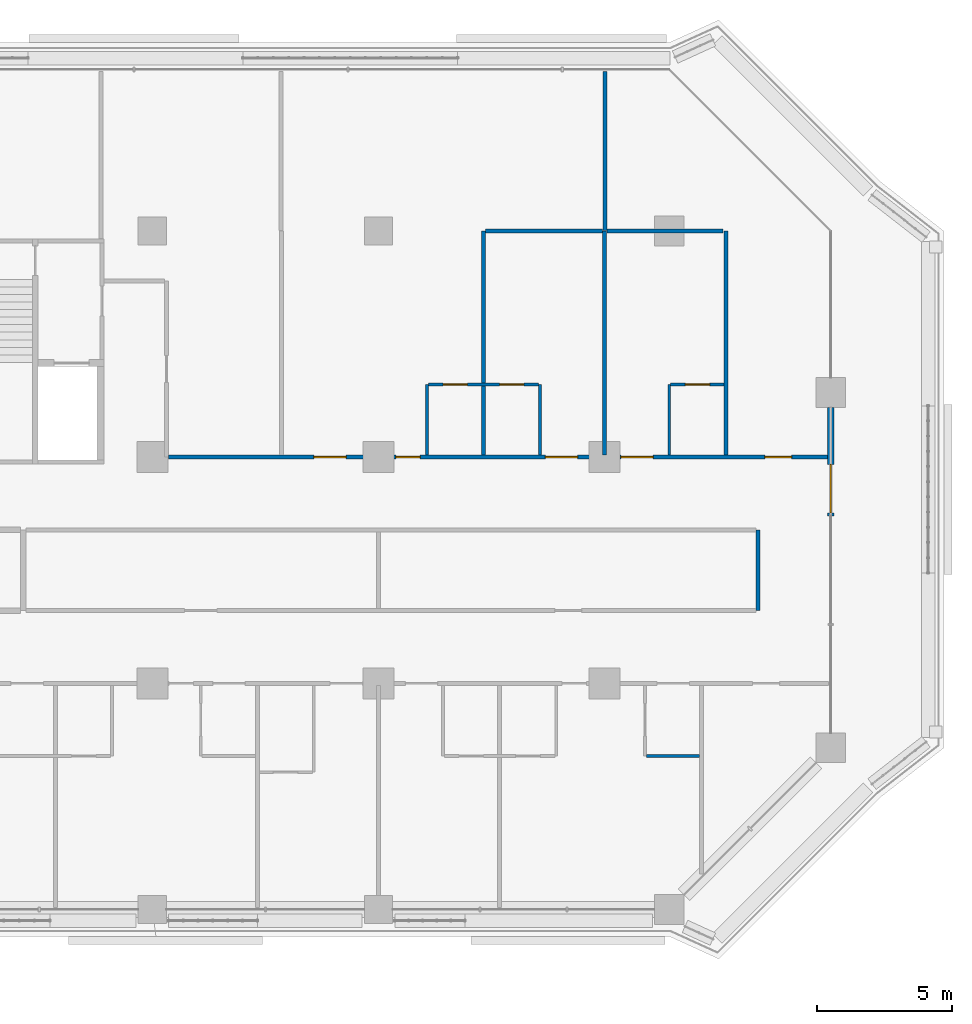
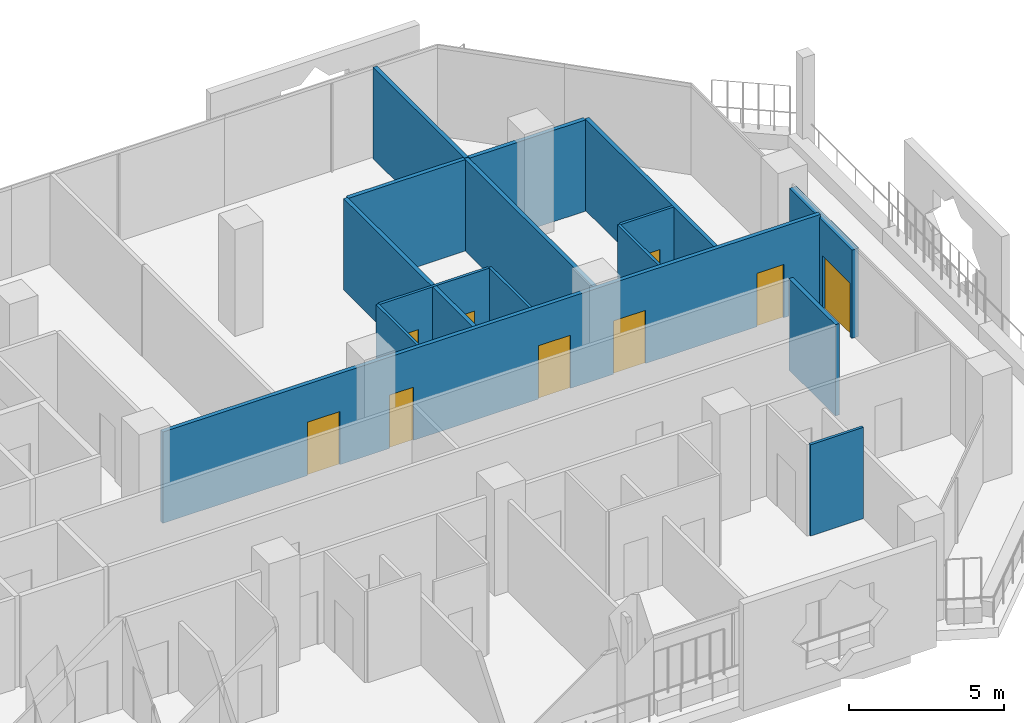
# One storey, part 17 of 25: 15 walls, 9 doors, 9 openings.
"""IFC4 building model written with IfcOpenShell, lengths in metres."""

from ifc_helpers import new_model, si_unit, direction, frame, frame_2d, origin, place, context, subcontext, project, spatial, rectangle, extrude, material, layer, layer_set, type_object, element, fill, save


model = new_model("IFC4")

# Units and contexts
model_context = context("Model", 3, precision=1e-05, world=origin(), true_north=direction((0.0, 1.0)))
body_context = subcontext(model_context, "Body", "Model", "MODEL_VIEW")
ifc_project = project(units=[si_unit("LENGTHUNIT", "METRE"), si_unit("AREAUNIT", "SQUARE_METRE"), si_unit("VOLUMEUNIT", "CUBIC_METRE"), si_unit("PLANEANGLEUNIT", "RADIAN"), si_unit("MASSUNIT", "GRAM", prefix="KILO")], contexts=[model_context])

# Site, building, storey
site_placement = place(None, origin())
site = spatial("IfcSite", under=ifc_project, at=site_placement, CompositionType="ELEMENT")
building_placement = place(site_placement, origin())
building = spatial("IfcBuilding", under=site, at=building_placement, Name="Kawkab Arch Medical Tower", CompositionType="ELEMENT")
storey_placement = place(building_placement, frame((0.0, 0.0, 140.800048828125)))
storey = spatial("IfcBuildingStorey", under=building, at=storey_placement, Name="L32", CompositionType="ELEMENT", Elevation=140.800048828125)

# Wall, opening, door
ifc_material_1 = material(Name="Bronze clad insulated wall panel")
ifc_layer_1 = layer(ifc_material_1, 0.25)
ifc_layer_set_1 = layer_set([ifc_layer_1], Name="Bronze clad insulated wall panel")
wall_type_1 = type_object("IfcWallType", Name="External wall bay 250", PredefinedType="SOLIDWALL", material=ifc_layer_set_1)
wall_1_placement = place(storey_placement, frame((75.60009765625, -10.583251953125, 0.0), z_axis=(0.0, 0.0, 1.0), x_axis=(0.0, 1.0, 0.0)))
wall_1 = element("IfcWall", 1, at=wall_1_placement, inside=storey, type_object=wall_type_1, Name="External wall bay L32.R09.1.3", PredefinedType="SOLIDWALL", context=body_context, shape_type="SweptSolid", body=[
    extrude(rectangle(XDim=4.033203125, YDim=0.25, at=frame_2d((2.0166015625, 0.0))), origin(), (0.0, 0.0, 1.0), 3.47998046875),
])
opening_1_placement = place(wall_1_placement, frame((0.11669921875, 0.0, 0.0)))
opening_1 = element("IfcOpeningElement", 2, at=opening_1_placement, cuts=wall_1, Name="Opening W27-701", PredefinedType="OPENING", context=body_context, shape_type="SweptSolid", body=[
    extrude(rectangle(XDim=1.800048828125, YDim=2.10009765625, at=frame_2d((0.89990234375, 1.050048828125))), frame((0.0, 0.135009765625, 0.0), z_axis=(0.0, -1.0, 0.0), x_axis=(1.0, 0.0, 0.0)), (0.0, 0.0, 1.0), 0.27001953125),
])
ifc_material_2 = material(Name="Bronze anodised aluminium door with tinted glass", Category="aluminium")
door_type_1 = type_object("IfcDoorType", Name="Double external door 1800 x 2100", OperationType="DOUBLE_DOOR_SINGLE_SWING", PredefinedType="DOOR", material=ifc_material_2)
door_1_placement = place(opening_1_placement, origin())
door_1 = element("IfcDoor", 3, at=door_1_placement, inside=storey, type_object=door_type_1, Name="External door L32.R09.1.3", OperationType="DOUBLE_DOOR_SINGLE_SWING", OverallHeight=2.10009765625, OverallWidth=1.800048828125, PredefinedType="DOOR", context=body_context, shape_type="SweptSolid", body=[
    extrude(rectangle(XDim=1.800048828125, YDim=2.10009765625, at=frame_2d((0.89990234375, 1.050048828125))), frame((0.0, 0.02490234375, 0.0), z_axis=(0.0, -1.0, 0.0), x_axis=(1.0, 0.0, 0.0)), (0.0, 0.0, 1.0), 0.050048828125),
])
fill(opening_1, door_1)

# Wall
ifc_material_3 = material(Name="Gypsum board partition on steel studs", Category="steel")
ifc_layer_2 = layer(ifc_material_3, 0.10009765625)
ifc_layer_set_2 = layer_set([ifc_layer_2], Name="Gypsum board partition on steel studs")
wall_type_2 = type_object("IfcWallType", Name="Partition 100", PredefinedType="PARTITIONING", material=ifc_layer_set_2)
wall_2_placement = place(storey_placement, frame((68.75, -19.5, 0.0), z_axis=(0.0, 0.0, 1.0), x_axis=(1.0, 0.0, 0.0)))
element("IfcWall", 4, at=wall_2_placement, inside=storey, type_object=wall_type_2, Name="Partition 100 w010", PredefinedType="PARTITIONING", context=body_context, shape_type="SweptSolid", body=[
    extrude(rectangle(XDim=1.97509765625, YDim=0.10009765625, at=frame_2d((0.987548828125, 0.0))), origin(), (0.0, 0.0, 1.0), 3.599853515625),
])

# Wall, openings, doors
wall_3_placement = place(storey_placement, frame((60.652099609375, -5.699951171875, 0.0), z_axis=(0.0, 0.0, 1.0), x_axis=(1.0, 0.0, 0.0)))
wall_3 = element("IfcWall", 5, at=wall_3_placement, inside=storey, type_object=wall_type_2, Name="Partition 100 w012", PredefinedType="PARTITIONING", context=body_context, shape_type="SweptSolid", body=[
    extrude(rectangle(XDim=4.097900390625, YDim=0.10009765625, at=frame_2d((2.048828125, 0.0))), origin(), (0.0, 0.0, 1.0), 3.599853515625),
])
opening_2_placement = place(wall_3_placement, frame((0.549072265625, 0.0, 0.0)))
opening_2 = element("IfcOpeningElement", 6, at=opening_2_placement, cuts=wall_3, Name="Opening W27-005", PredefinedType="OPENING", context=body_context, shape_type="SweptSolid", body=[
    extrude(rectangle(XDim=0.89990234375, YDim=2.10009765625, at=frame_2d((0.449951171875, 1.050048828125))), frame((0.0, 0.06005859375, 0.0), z_axis=(0.0, -1.0, 0.0), x_axis=(1.0, 0.0, 0.0)), (0.0, 0.0, 1.0), 0.1201171875),
])
opening_3_placement = place(wall_3_placement, frame((2.64794921875, 0.0, 0.0)))
opening_3 = element("IfcOpeningElement", 7, at=opening_3_placement, cuts=wall_3, Name="Opening W27-006", PredefinedType="OPENING", context=body_context, shape_type="SweptSolid", body=[
    extrude(rectangle(XDim=0.89990234375, YDim=2.10009765625, at=frame_2d((0.449951171875, 1.050048828125))), frame((0.0, 0.06005859375, 0.0), z_axis=(0.0, -1.0, 0.0), x_axis=(1.0, 0.0, 0.0)), (0.0, 0.0, 1.0), 0.1201171875),
])
ifc_material_4 = material(Name="Timber door leaf", Category="wood")
door_type_2 = type_object("IfcDoorType", Name="Single door 900x2100", OperationType="NOTDEFINED", PredefinedType="DOOR", material=ifc_material_4)
door_2_placement = place(opening_2_placement, origin())
door_2 = element("IfcDoor", 8, at=door_2_placement, inside=storey, type_object=door_type_2, Name="Door W27-005", OperationType="SINGLE_SWING_LEFT", OverallHeight=2.10009765625, OverallWidth=0.89990234375, PredefinedType="DOOR", context=body_context, shape_type="SweptSolid", body=[
    extrude(rectangle(XDim=0.89990234375, YDim=2.10009765625, at=frame_2d((0.449951171875, 1.050048828125))), frame((0.0, 0.02490234375, 0.0), z_axis=(0.0, -1.0, 0.0), x_axis=(1.0, 0.0, 0.0)), (0.0, 0.0, 1.0), 0.050048828125),
])
fill(opening_2, door_2)
door_3_placement = place(opening_3_placement, origin())
door_3 = element("IfcDoor", 9, at=door_3_placement, inside=storey, type_object=door_type_2, Name="Door W27-006", OperationType="SINGLE_SWING_RIGHT", OverallHeight=2.10009765625, OverallWidth=0.89990234375, PredefinedType="DOOR", context=body_context, shape_type="SweptSolid", body=[
    extrude(rectangle(XDim=0.89990234375, YDim=2.10009765625, at=frame_2d((0.449951171875, 1.050048828125))), frame((0.0, 0.02490234375, 0.0), z_axis=(0.0, -1.0, 0.0), x_axis=(1.0, 0.0, 0.0)), (0.0, 0.0, 1.0), 0.050048828125),
])
fill(opening_3, door_3)

# Wall, opening, door
wall_4_placement = place(storey_placement, frame((69.64990234375, -5.699951171875, 0.0), z_axis=(0.0, 0.0, 1.0), x_axis=(1.0, 0.0, 0.0)))
wall_4 = element("IfcWall", 10, at=wall_4_placement, inside=storey, type_object=wall_type_2, Name="Partition 100 w013", PredefinedType="PARTITIONING", context=body_context, shape_type="SweptSolid", body=[
    extrude(rectangle(XDim=1.97509765625, YDim=0.10009765625, at=frame_2d((0.987548828125, 0.0))), origin(), (0.0, 0.0, 1.0), 3.599853515625),
])
opening_4_placement = place(wall_4_placement, frame((0.550048828125, 0.0, 0.0)))
opening_4 = element("IfcOpeningElement", 11, at=opening_4_placement, cuts=wall_4, Name="Opening W27-007", PredefinedType="OPENING", context=body_context, shape_type="SweptSolid", body=[
    extrude(rectangle(XDim=0.89990234375, YDim=2.10009765625, at=frame_2d((0.449951171875, 1.050048828125))), frame((0.0, 0.06005859375, 0.0), z_axis=(0.0, -1.0, 0.0), x_axis=(1.0, 0.0, 0.0)), (0.0, 0.0, 1.0), 0.1201171875),
])
door_4_placement = place(opening_4_placement, origin())
door_4 = element("IfcDoor", 12, at=door_4_placement, inside=storey, type_object=door_type_2, Name="Door W27-007", OperationType="SINGLE_SWING_RIGHT", OverallHeight=2.10009765625, OverallWidth=0.89990234375, PredefinedType="DOOR", context=body_context, shape_type="SweptSolid", body=[
    extrude(rectangle(XDim=0.89990234375, YDim=2.10009765625, at=frame_2d((0.449951171875, 1.050048828125))), frame((0.0, 0.02490234375, 0.0), z_axis=(0.0, -1.0, 0.0), x_axis=(1.0, 0.0, 0.0)), (0.0, 0.0, 1.0), 0.050048828125),
])
fill(opening_4, door_4)

# Walls
wall_5_placement = place(storey_placement, frame((60.60009765625, -8.324951171875, 0.0), z_axis=(0.0, 0.0, 1.0), x_axis=(0.0, 1.0, 0.0)))
element("IfcWall", 13, at=wall_5_placement, inside=storey, type_object=wall_type_2, Name="Partition 100 w024", PredefinedType="PARTITIONING", context=body_context, shape_type="SweptSolid", body=[
    extrude(rectangle(XDim=2.6240234375, YDim=0.10009765625, at=frame_2d((1.31201171875, 0.0))), origin(), (0.0, 0.0, 1.0), 3.599853515625),
])
for number, where, z_axis, x_axis, name in (
    (14, (64.800048828125, -8.324951171875, 0.0), (0.0, 0.0, 1.0), (0.0, 1.0, 0.0), "Partition 100 w026"),
    (15, (69.60009765625, -8.324951171875, 0.0), (0.0, 0.0, 1.0), (0.0, 1.0, 0.0), "Partition 100 w029"),
):
    element("IfcWall", number, at=place(storey_placement, frame(where, z_axis=z_axis, x_axis=x_axis)), inside=storey, type_object=wall_type_2, Name=name, PredefinedType="PARTITIONING", context=body_context, shape_type="SweptSolid", body=[
        extrude(rectangle(XDim=2.625, YDim=0.10009765625, at=frame_2d((1.3125, 0.0))), origin(), (0.0, 0.0, 1.0), 3.599853515625),
    ])

# Wall, openings, doors
ifc_material_5 = material(Name="Gypsum board partition on steel studs, mineral wool", Category="steel")
ifc_layer_3 = layer(ifc_material_5, 0.14990234375)
ifc_layer_set_3 = layer_set([ifc_layer_3], Name="Gypsum board partition on steel studs, mineral wool")
wall_type_3 = type_object("IfcWallType", Name="Partition 150", PredefinedType="PARTITIONING", material=ifc_layer_set_3)
wall_6_placement = place(storey_placement, frame((51.0, -8.39990234375, 0.0), z_axis=(0.0, 0.0, 1.0), x_axis=(1.0, 0.0, 0.0)))
wall_6 = element("IfcWall", 16, at=wall_6_placement, inside=storey, type_object=wall_type_3, Name="Partition 150 w052", PredefinedType="PARTITIONING", context=body_context, shape_type="SweptSolid", body=[
    extrude(rectangle(XDim=24.52001953125, YDim=0.14990234375, at=frame_2d((12.260009765625, 0.0))), origin(), (0.0, 0.0, 1.0), 3.599853515625),
])
opening_5_placement = place(wall_6_placement, frame((5.39990234375, 0.0, 0.0)))
opening_5 = element("IfcOpeningElement", 17, at=opening_5_placement, cuts=wall_6, Name="Opening W27-038", PredefinedType="OPENING", context=body_context, shape_type="SweptSolid", body=[
    extrude(rectangle(XDim=1.199951171875, YDim=2.10009765625, at=frame_2d((0.60009765625, 1.050048828125))), frame((0.0, 0.0849609375, 0.0), z_axis=(0.0, -1.0, 0.0), x_axis=(1.0, 0.0, 0.0)), (0.0, 0.0, 1.0), 0.169921875),
])
opening_6_placement = place(wall_6_placement, frame((8.449951171875, 0.0, 0.0)))
opening_6 = element("IfcOpeningElement", 18, at=opening_6_placement, cuts=wall_6, Name="Opening W27-019", PredefinedType="OPENING", context=body_context, shape_type="SweptSolid", body=[
    extrude(rectangle(XDim=0.89990234375, YDim=2.10009765625, at=frame_2d((0.449951171875, 1.050048828125))), frame((0.0, 0.0849609375, 0.0), z_axis=(0.0, -1.0, 0.0), x_axis=(1.0, 0.0, 0.0)), (0.0, 0.0, 1.0), 0.169921875),
])
opening_7_placement = place(wall_6_placement, frame((14.0, 0.0, 0.0)))
opening_7 = element("IfcOpeningElement", 19, at=opening_7_placement, cuts=wall_6, Name="Opening W27-039", PredefinedType="OPENING", context=body_context, shape_type="SweptSolid", body=[
    extrude(rectangle(XDim=1.199951171875, YDim=2.10009765625, at=frame_2d((0.60009765625, 1.050048828125))), frame((0.0, 0.0849609375, 0.0), z_axis=(0.0, -1.0, 0.0), x_axis=(1.0, 0.0, 0.0)), (0.0, 0.0, 1.0), 0.169921875),
])
opening_8_placement = place(wall_6_placement, frame((16.800048828125, 0.0, 0.0)))
opening_8 = element("IfcOpeningElement", 20, at=opening_8_placement, cuts=wall_6, Name="Opening W27-040", PredefinedType="OPENING", context=body_context, shape_type="SweptSolid", body=[
    extrude(rectangle(XDim=1.199951171875, YDim=2.10009765625, at=frame_2d((0.60009765625, 1.050048828125))), frame((0.0, 0.0849609375, 0.0), z_axis=(0.0, -1.0, 0.0), x_axis=(1.0, 0.0, 0.0)), (0.0, 0.0, 1.0), 0.169921875),
])
opening_9_placement = place(wall_6_placement, frame((22.14990234375, 0.0, 0.0)))
opening_9 = element("IfcOpeningElement", 21, at=opening_9_placement, cuts=wall_6, Name="Opening W27-025", PredefinedType="OPENING", context=body_context, shape_type="SweptSolid", body=[
    extrude(rectangle(XDim=1.0, YDim=2.10009765625, at=frame_2d((0.5, 1.050048828125))), frame((0.0, 0.0849609375, 0.0), z_axis=(0.0, -1.0, 0.0), x_axis=(1.0, 0.0, 0.0)), (0.0, 0.0, 1.0), 0.169921875),
])
ifc_material_6 = material(Name="Hollow metal door leaf")
door_type_3 = type_object("IfcDoorType", Name="Single door 1000x2100 FD30S", OperationType="NOTDEFINED", PredefinedType="DOOR", material=ifc_material_6)
door_5_placement = place(opening_9_placement, origin())
door_5 = element("IfcDoor", 22, at=door_5_placement, inside=storey, type_object=door_type_3, Name="Door W27-025", OperationType="SINGLE_SWING_RIGHT", OverallHeight=2.10009765625, OverallWidth=1.0, PredefinedType="DOOR", context=body_context, shape_type="SweptSolid", body=[
    extrude(rectangle(XDim=1.0, YDim=2.10009765625, at=frame_2d((0.5, 1.050048828125))), frame((0.0, 0.02490234375, 0.0), z_axis=(0.0, -1.0, 0.0), x_axis=(1.0, 0.0, 0.0)), (0.0, 0.0, 1.0), 0.050048828125),
])
fill(opening_9, door_5)
ifc_material_7 = material(Name="Hollow metal door leaf")
door_type_4 = type_object("IfcDoorType", Name="Single door 1200x2100 FD30S", OperationType="NOTDEFINED", PredefinedType="DOOR", material=ifc_material_7)
door_6_placement = place(opening_5_placement, origin())
door_6 = element("IfcDoor", 23, at=door_6_placement, inside=storey, type_object=door_type_4, Name="Door W27-038", OperationType="SINGLE_SWING_LEFT", OverallHeight=2.10009765625, OverallWidth=1.199951171875, PredefinedType="DOOR", context=body_context, shape_type="SweptSolid", body=[
    extrude(rectangle(XDim=1.199951171875, YDim=2.10009765625, at=frame_2d((0.60009765625, 1.050048828125))), frame((0.0, 0.02490234375, 0.0), z_axis=(0.0, -1.0, 0.0), x_axis=(1.0, 0.0, 0.0)), (0.0, 0.0, 1.0), 0.050048828125),
])
fill(opening_5, door_6)
door_7_placement = place(opening_7_placement, origin())
door_7 = element("IfcDoor", 24, at=door_7_placement, inside=storey, type_object=door_type_4, Name="Door W27-039", OperationType="SINGLE_SWING_RIGHT", OverallHeight=2.10009765625, OverallWidth=1.199951171875, PredefinedType="DOOR", context=body_context, shape_type="SweptSolid", body=[
    extrude(rectangle(XDim=1.199951171875, YDim=2.10009765625, at=frame_2d((0.60009765625, 1.050048828125))), frame((0.0, 0.02490234375, 0.0), z_axis=(0.0, -1.0, 0.0), x_axis=(1.0, 0.0, 0.0)), (0.0, 0.0, 1.0), 0.050048828125),
])
fill(opening_7, door_7)
door_8_placement = place(opening_8_placement, origin())
door_8 = element("IfcDoor", 25, at=door_8_placement, inside=storey, type_object=door_type_4, Name="Door W27-040", OperationType="SINGLE_SWING_RIGHT", OverallHeight=2.10009765625, OverallWidth=1.199951171875, PredefinedType="DOOR", context=body_context, shape_type="SweptSolid", body=[
    extrude(rectangle(XDim=1.199951171875, YDim=2.10009765625, at=frame_2d((0.60009765625, 1.050048828125))), frame((0.0, 0.02490234375, 0.0), z_axis=(0.0, -1.0, 0.0), x_axis=(1.0, 0.0, 0.0)), (0.0, 0.0, 1.0), 0.050048828125),
])
fill(opening_8, door_8)
ifc_material_8 = material(Name="Hollow metal door leaf")
door_type_5 = type_object("IfcDoorType", Name="Single door 900x2100 FD30S", OperationType="NOTDEFINED", PredefinedType="DOOR", material=ifc_material_8)
door_9_placement = place(opening_6_placement, origin())
door_9 = element("IfcDoor", 26, at=door_9_placement, inside=storey, type_object=door_type_5, Name="Door W27-019", OperationType="SINGLE_SWING_LEFT", OverallHeight=2.10009765625, OverallWidth=0.89990234375, PredefinedType="DOOR", context=body_context, shape_type="SweptSolid", body=[
    extrude(rectangle(XDim=0.89990234375, YDim=2.10009765625, at=frame_2d((0.449951171875, 1.050048828125))), frame((0.0, 0.02490234375, 0.0), z_axis=(0.0, -1.0, 0.0), x_axis=(1.0, 0.0, 0.0)), (0.0, 0.0, 1.0), 0.050048828125),
])
fill(opening_6, door_9)

# Walls
wall_7_placement = place(storey_placement, frame((62.777099609375, 0.0, 0.0), z_axis=(0.0, 0.0, 1.0), x_axis=(1.0, 0.0, 0.0)))
element("IfcWall", 27, at=wall_7_placement, inside=storey, type_object=wall_type_3, Name="Partition 150 w056", PredefinedType="PARTITIONING", context=body_context, shape_type="SweptSolid", body=[
    extrude(rectangle(XDim=4.347900390625, YDim=0.14990234375, at=frame_2d((2.173828125, 0.0))), origin(), (0.0, 0.0, 1.0), 3.599853515625),
])
wall_8_placement = place(storey_placement, frame((67.294921875, 0.0, 0.0), z_axis=(0.0, 0.0, 1.0), x_axis=(1.0, 0.0, 0.0)))
element("IfcWall", 28, at=wall_8_placement, inside=storey, type_object=wall_type_3, Name="Partition 150 w057", PredefinedType="PARTITIONING", context=body_context, shape_type="SweptSolid", body=[
    extrude(rectangle(XDim=4.31005859375, YDim=0.14990234375, at=frame_2d((2.155029296875, 0.0))), origin(), (0.0, 0.0, 1.0), 3.599853515625),
])
wall_9_placement = place(storey_placement, frame((62.699951171875, -8.324951171875, 0.0), z_axis=(0.0, 0.0, 1.0), x_axis=(0.0, 1.0, 0.0)))
element("IfcWall", 29, at=wall_9_placement, inside=storey, type_object=wall_type_3, Name="Partition 150 w084", PredefinedType="PARTITIONING", context=body_context, shape_type="SweptSolid", body=[
    extrude(rectangle(XDim=8.323974609375, YDim=0.14990234375, at=frame_2d((4.162109375, 0.0))), origin(), (0.0, 0.0, 1.0), 3.599853515625),
])
wall_10_placement = place(storey_placement, frame((67.199951171875, -8.324951171875, 0.0), z_axis=(0.0, 0.0, 1.0), x_axis=(0.0, 1.0, 0.0)))
element("IfcWall", 30, at=wall_10_placement, inside=storey, type_object=wall_type_3, Name="Partition 150 w086", PredefinedType="PARTITIONING", context=body_context, shape_type="SweptSolid", body=[
    extrude(rectangle(XDim=8.324951171875, YDim=0.14990234375, at=frame_2d((4.16259765625, 0.0))), origin(), (0.0, 0.0, 1.0), 3.599853515625),
])
wall_11_placement = place(storey_placement, frame((67.219970703125, 0.02001953125, 0.0), z_axis=(0.0, 0.0, 1.0), x_axis=(0.0, 1.0, 0.0)))
element("IfcWall", 31, at=wall_11_placement, inside=storey, type_object=wall_type_3, Name="Partition 150 w087", PredefinedType="PARTITIONING", context=body_context, shape_type="SweptSolid", body=[
    extrude(rectangle(XDim=5.89990234375, YDim=0.14990234375, at=frame_2d((2.949951171875, 0.0))), origin(), (0.0, 0.0, 1.0), 3.599853515625),
])
wall_12_placement = place(storey_placement, frame((71.699951171875, -8.324951171875, 0.0), z_axis=(0.0, 0.0, 1.0), x_axis=(0.0, 1.0, 0.0)))
element("IfcWall", 32, at=wall_12_placement, inside=storey, type_object=wall_type_3, Name="Partition 150 w089", PredefinedType="PARTITIONING", context=body_context, shape_type="SweptSolid", body=[
    extrude(rectangle(XDim=8.322021484375, YDim=0.14990234375, at=frame_2d((4.1611328125, 0.0))), origin(), (0.0, 0.0, 1.0), 3.599853515625),
])
wall_13_placement = place(storey_placement, frame((72.89990234375, -14.10009765625, 0.0), z_axis=(0.0, 0.0, 1.0), x_axis=(0.0, 1.0, 0.0)))
element("IfcWall", 33, at=wall_13_placement, inside=storey, type_object=wall_type_3, Name="Partition 150 w090", PredefinedType="PARTITIONING", context=body_context, shape_type="SweptSolid", body=[
    extrude(rectangle(XDim=3.0, YDim=0.14990234375, at=frame_2d((1.5, 0.0))), origin(), (0.0, 0.0, 1.0), 3.599853515625),
])

save(model, "model.ifc")
